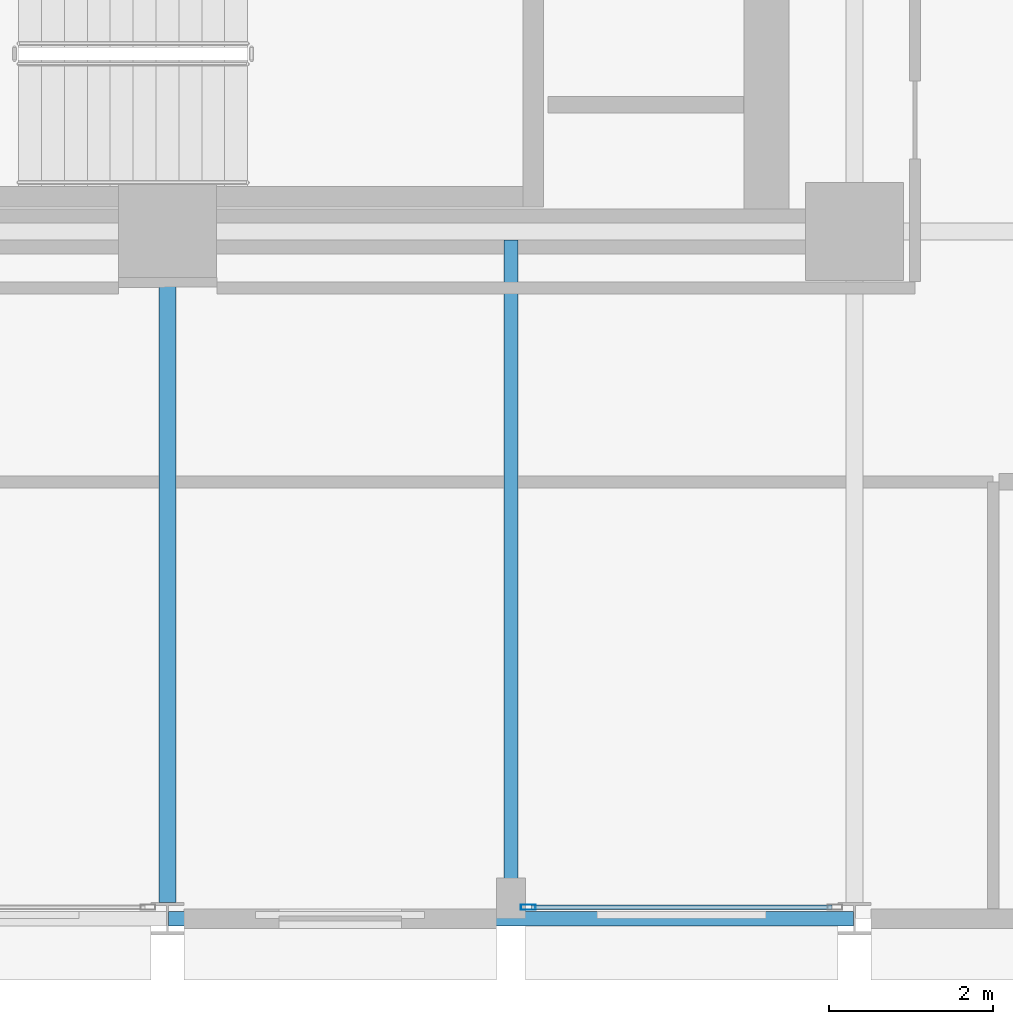
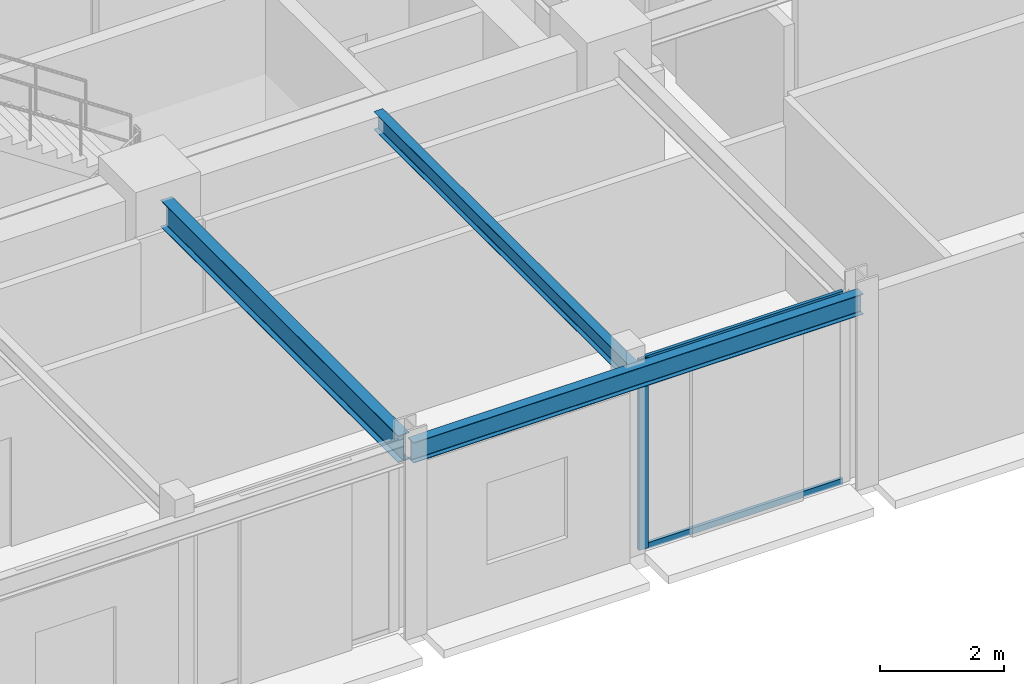
# One storey, part 9 of 40: 3 beams, 3 members, 1 element without a shape of its own.
"""IFC4 building model written with IfcOpenShell, lengths in metres."""

import ifcopenshell
import ifcopenshell.guid

model = None  # the IFC model being written
_history = None  # IfcOwnerHistory: only IFC2X3 demands one
_inside = {}  # id of a spatial element -> (the spatial element, [elements in it])
_under = {}  # id of a project, library or spatial element -> (it, [spatial elements below it])
_declared = {}  # id of a project -> (the project, [libraries it declares])
_typed = {}  # id of a type object -> (the type object, [elements of that type])
_made_of = {}  # id of a material, layer set ... -> (it, [elements and type objects made of it])


def new_model(schema):
    """Start an empty IFC model of exactly this schema.

    Asked for "IFC4X3", IfcOpenShell would pick the latest addendum, in which some entities
    have other attributes; the version numbers below select the first issue.
    IFC2X3 requires an IfcOwnerHistory on every rooted entity: one is made here for all.
    """
    global model, _history
    if schema == "IFC4X3":
        model = ifcopenshell.file(schema_version=(4, 3, 0, 0))
    else:
        model = ifcopenshell.file(schema=schema)
    _inside.clear()
    _under.clear()
    _declared.clear()
    _typed.clear()
    _made_of.clear()
    _history = None
    if model.schema == "IFC2X3":
        org = make("IfcOrganization", Name="unknown")
        user = make(
            "IfcPersonAndOrganization",
            ThePerson=make("IfcPerson", FamilyName="unknown"),
            TheOrganization=org,
        )
        app = make(
            "IfcApplication",
            ApplicationDeveloper=org,
            Version="unknown",
            ApplicationFullName="unknown",
            ApplicationIdentifier="unknown",
        )
        _history = make(
            "IfcOwnerHistory",
            OwningUser=user,
            OwningApplication=app,
            ChangeAction="ADDED",
            CreationDate=0,
        )
    return model


def make(cls, **values):
    """One entity of the class cls with the attributes given. An attribute that is None is left unset."""
    return model.create_entity(
        cls, **{name: value for name, value in values.items() if value is not None}
    )


def rooted(cls, **values):
    """An entity with a GlobalId (a new one), such as an element, a storey or a relation."""
    return make(cls, GlobalId=ifcopenshell.guid.new(), OwnerHistory=_history, **values)


def si_unit(unit_type, name, prefix=None):
    """IfcSIUnit, for example si_unit("LENGTHUNIT", "METRE", prefix="MILLI")."""
    return make("IfcSIUnit", UnitType=unit_type, Prefix=prefix, Name=name)


def assignment(units):
    """IfcUnitAssignment: the units of a project."""
    return None if units is None else make("IfcUnitAssignment", Units=units)


def point(xyz):
    """IfcCartesianPoint."""
    return None if xyz is None else make("IfcCartesianPoint", Coordinates=xyz)


def direction(xyz):
    """IfcDirection."""
    return None if xyz is None else make("IfcDirection", DirectionRatios=xyz)


def frame(location, z_axis=None, x_axis=None):
    """IfcAxis2Placement3D, a coordinate frame: its origin and axes. An axis left out is left unset."""
    return make(
        "IfcAxis2Placement3D",
        Location=point(location),
        Axis=direction(z_axis),
        RefDirection=direction(x_axis),
    )


def frame_2d(location, x_axis=None):
    """IfcAxis2Placement2D, a coordinate frame in the plane: its origin and x axis."""
    return make(
        "IfcAxis2Placement2D", Location=point(location), RefDirection=direction(x_axis)
    )


def origin():
    """The frame at (0, 0, 0) with its axes left unset."""
    return frame((0.0, 0.0, 0.0))


def origin_2d():
    """The frame at (0, 0) in the plane with its x axis left unset."""
    return frame_2d((0.0, 0.0))


def place(relative_to, where):
    """IfcLocalPlacement: puts the frame where relative to a parent placement (None: the world)."""
    return make(
        "IfcLocalPlacement", PlacementRelTo=relative_to, RelativePlacement=where
    )


def context(
    kind, dimensions, precision=None, world=None, true_north=None, identifier=None
):
    """IfcGeometricRepresentationContext, for example the 3D "Model" context."""
    return make(
        "IfcGeometricRepresentationContext",
        ContextIdentifier=identifier,
        ContextType=kind,
        CoordinateSpaceDimension=dimensions,
        Precision=precision,
        WorldCoordinateSystem=world,
        TrueNorth=true_north,
    )


def subcontext(parent, identifier, kind, view, scale=None):
    """IfcGeometricRepresentationSubContext, for example "Body" below "Model"."""
    return make(
        "IfcGeometricRepresentationSubContext",
        ContextIdentifier=identifier,
        ContextType=kind,
        ParentContext=parent,
        TargetScale=scale,
        TargetView=view,
    )


def project(units=None, contexts=None):
    """IfcProject with its units and contexts."""
    return rooted(
        "IfcProject",
        Name="project",
        RepresentationContexts=contexts,
        UnitsInContext=assignment(units),
    )


def spatial(cls, under=None, at=None, **own):
    """A site, building, storey or space (cls), placed at a placement, below another one or the project."""
    s = rooted(cls, ObjectPlacement=at, **own)
    if under is not None:
        _under.setdefault(under.id(), (under, []))[1].append(s)
    return s


def profile(cls, at=None, kind="AREA", **sizes):
    """A parametric profile (cls). Its sizes go by their IFC names, for example OverallWidth=200.0."""
    return make(cls, ProfileType=kind, Position=at, **sizes)


def hollow_rectangle(**sizes):
    """IfcRectangleHollowProfileDef."""
    return profile("IfcRectangleHollowProfileDef", **sizes)


def i_section(**sizes):
    """IfcIShapeProfileDef."""
    return profile("IfcIShapeProfileDef", **sizes)


def extrude(swept, where, along, depth):
    """IfcExtrudedAreaSolid: the profile swept, set in the frame where, extruded along a direction by depth."""
    return make(
        "IfcExtrudedAreaSolid",
        SweptArea=swept,
        Position=where,
        ExtrudedDirection=direction(along),
        Depth=depth,
    )


def shape(context_of_items, identifier, shape_type, items):
    """IfcShapeRepresentation: the items that make up one representation, for example the "Body"."""
    return make(
        "IfcShapeRepresentation",
        ContextOfItems=context_of_items,
        RepresentationIdentifier=identifier,
        RepresentationType=shape_type,
        Items=items,
    )


def material(Name=None, Category=None):
    """IfcMaterial."""
    return make("IfcMaterial", Name=Name, Category=Category)


def layer(
    of_material, thickness, ventilated=None, Name=None, Category=None, Priority=None
):
    """IfcMaterialLayer: one layer of a wall or slab, of a material (None: an air gap)."""
    return make(
        "IfcMaterialLayer",
        Material=of_material,
        LayerThickness=thickness,
        IsVentilated=ventilated,
        Name=Name,
        Category=Category,
        Priority=Priority,
    )


def layer_set(layers, Name=None):
    """IfcMaterialLayerSet."""
    return make("IfcMaterialLayerSet", MaterialLayers=layers, LayerSetName=Name)


def material_profile(
    of_material, cross_section, Name=None, Category=None, Priority=None
):
    """IfcMaterialProfile: a cross section and its material."""
    return make(
        "IfcMaterialProfile",
        Name=Name,
        Material=of_material,
        Profile=cross_section,
        Priority=Priority,
        Category=Category,
    )


def profile_set(profiles, Name=None, composite=None):
    """IfcMaterialProfileSet."""
    return make(
        "IfcMaterialProfileSet",
        Name=Name,
        MaterialProfiles=profiles,
        CompositeProfile=composite,
    )


def made_of(thing, what):
    """Note that an element or type object is made of a material, layer set ...; save() writes the relation."""
    if what is not None:
        _made_of.setdefault(what.id(), (what, []))[1].append(thing)
    return thing


def type_object(cls, material=None, **own):
    """A type object (cls), such as IfcWallType, which elements share."""
    return made_of(rooted(cls, **own), material)


def element(
    cls,
    number,
    at=None,
    inside=None,
    cuts=None,
    type_object=None,
    material=None,
    context=None,
    identifier="Body",
    shape_type=None,
    held_by="IfcProductDefinitionShape",
    body=None,
    shapes=None,
    **own,
):
    """One element of the class cls, such as IfcWall. Its Tag is "e" and its number.

    at: its placement. inside: the storey or other place that contains it. cuts: it is an
    opening in that element (IfcRelVoidsElement). A single representation is given by context,
    identifier, shape_type and body (its items); several are given by shapes. held_by: the class
    of the entity that holds the representations. save() writes the other relations.
    """
    e = rooted(cls, Tag="e%d" % number, ObjectPlacement=at, **own)
    if body is not None:
        shapes = [shape(context, identifier, shape_type, body)]
    if shapes is not None:
        e.Representation = make(held_by, Representations=shapes)
    if inside is not None:
        _inside.setdefault(inside.id(), (inside, []))[1].append(e)
    if cuts is not None:
        rooted(
            "IfcRelVoidsElement", RelatingBuildingElement=cuts, RelatedOpeningElement=e
        )
    if type_object is not None:
        _typed.setdefault(type_object.id(), (type_object, []))[1].append(e)
    return made_of(e, material)


def aggregate(whole, parts):
    """IfcRelAggregates: a whole, such as a stair, and the parts it consists of."""
    return rooted("IfcRelAggregates", RelatingObject=whole, RelatedObjects=parts)


def save(model, path):
    """Write the relations noted so far, then the file.

    IfcRelAggregates (storeys below a building ...), IfcRelContainedInSpatialStructure (elements
    in a storey), IfcRelDefinesByType, IfcRelAssociatesMaterial and IfcRelDeclares: one each for
    every whole, place, type object, material and project.
    """
    for whole, parts in _under.values():
        aggregate(whole, parts)
    for where, things in _inside.values():
        rooted(
            "IfcRelContainedInSpatialStructure",
            RelatedElements=things,
            RelatingStructure=where,
        )
    for kind, things in _typed.values():
        rooted("IfcRelDefinesByType", RelatedObjects=things, RelatingType=kind)
    for what, things in _made_of.values():
        rooted("IfcRelAssociatesMaterial", RelatedObjects=things, RelatingMaterial=what)
    for by, libraries in _declared.values():
        rooted("IfcRelDeclares", RelatingContext=by, RelatedDefinitions=libraries)
    model.write(path)


model = new_model("IFC4")

# Units and contexts
model_context = context("Model", 3, precision=1e-05, world=origin(), true_north=direction((0.0, 1.0)))
body_context = subcontext(model_context, "Body", "Model", "MODEL_VIEW")
ifc_project = project(units=[si_unit("LENGTHUNIT", "METRE"), si_unit("AREAUNIT", "SQUARE_METRE"), si_unit("VOLUMEUNIT", "CUBIC_METRE"), si_unit("PLANEANGLEUNIT", "RADIAN"), si_unit("MASSUNIT", "GRAM", prefix="KILO")], contexts=[model_context])

# Site, building, storey
site_placement = place(None, origin())
site = spatial("IfcSite", under=ifc_project, at=site_placement, CompositionType="ELEMENT")
building_placement = place(site_placement, origin())
building = spatial("IfcBuilding", under=site, at=building_placement, Name="Nerrivon Quay Data Exchange", CompositionType="ELEMENT")
storey_placement = place(building_placement, frame((0.0, 0.0, 109.0)))
storey = spatial("IfcBuildingStorey", under=building, at=storey_placement, Name="L25", CompositionType="ELEMENT", Elevation=109.0)

# Beams
ifc_material_1 = material(Name="Steel Grade 350", Category="steel")
ifc_material_profile_1 = material_profile(ifc_material_1, i_section(OverallWidth=0.208984375, OverallDepth=0.528076171875, WebThickness=0.009521484375, FlangeThickness=0.01318359375, FilletRadius=0.013916015625, at=origin_2d()), Name="530UB82.0")
ifc_profile_set_1 = profile_set([ifc_material_profile_1], Name="Steel Grade 350")
beam_type_1 = type_object("IfcBeamType", Name="BM-G4-530UB82", PredefinedType="BEAM", material=ifc_profile_set_1)
beam_1_placement = place(storey_placement, frame((25.199951171875, 0.199951171875, 3.486083984375), z_axis=(0.0, 1.0, 0.0), x_axis=(-1.0, 0.0, 0.0)))
element("IfcBeam", 1, at=beam_1_placement, inside=storey, type_object=beam_type_1, Name="L25 NS Girder X=25.2 (0.0..8.4)", PredefinedType="BEAM", context=body_context, shape_type="SweptSolid", body=[
    extrude(i_section(OverallWidth=0.208984375, OverallDepth=0.528076171875, WebThickness=0.009521484375, FlangeThickness=0.01318359375, FilletRadius=0.013916015625, at=origin_2d()), origin(), (0.0, 0.0, 1.0), 7.66015625),
])
ifc_material_profile_2 = material_profile(ifc_material_1, i_section(OverallWidth=0.1708984375, OverallDepth=0.35595703125, WebThickness=0.00732421875, FlangeThickness=0.011474609375, FilletRadius=0.011474609375, at=origin_2d()), Name="360UB50.7")
ifc_profile_set_2 = profile_set([ifc_material_profile_2], Name="Steel Grade 350")
beam_type_2 = type_object("IfcBeamType", Name="BM-J4-360UB51", PredefinedType="JOIST", material=ifc_profile_set_2)
beam_2_placement = place(storey_placement, frame((29.39990234375, 0.089111328125, 3.572021484375), z_axis=(0.0, 1.0, 0.0), x_axis=(-1.0, 0.0, 0.0)))
element("IfcBeam", 2, at=beam_2_placement, inside=storey, type_object=beam_type_2, Name="L25 Secondary Joist X=29.4 (0.0..8.4)", PredefinedType="JOIST", context=body_context, shape_type="SweptSolid", body=[
    extrude(i_section(OverallWidth=0.1708984375, OverallDepth=0.35595703125, WebThickness=0.00732421875, FlangeThickness=0.011474609375, FilletRadius=0.011474609375, at=origin_2d()), origin(), (0.0, 0.0, 1.0), 8.206298828125),
])
ifc_material_profile_3 = material_profile(ifc_material_1, i_section(OverallWidth=0.177978515625, OverallDepth=0.403076171875, WebThickness=0.007568359375, FlangeThickness=0.010986328125, FilletRadius=0.011474609375, at=origin_2d()), Name="410UB53.7")
ifc_profile_set_3 = profile_set([ifc_material_profile_3], Name="Steel Grade 350")
beam_type_3 = type_object("IfcBeamType", Name="BM-SP2-410UB54", PredefinedType="SPANDREL", material=ifc_profile_set_3)
beam_3_placement = place(storey_placement, frame((25.21240234375, 0.0, 3.548583984375), z_axis=(1.0, 0.0, 0.0), x_axis=(0.0, 1.0, 0.0)))
element("IfcBeam", 3, at=beam_3_placement, inside=storey, type_object=beam_type_3, Name="L25 EW Girder Y=0.0 (25.2..33.6)", PredefinedType="SPANDREL", context=body_context, shape_type="SweptSolid", body=[
    extrude(i_section(OverallWidth=0.177978515625, OverallDepth=0.403076171875, WebThickness=0.007568359375, FlangeThickness=0.010986328125, FilletRadius=0.011474609375, at=origin_2d()), origin(), (0.0, 0.0, 1.0), 8.375),
])

# Curtain wall, members
ifc_material_2 = material(Name="Anodised aluminium 6063-T6", Category="aluminium")
ifc_layer = layer(ifc_material_2, 0.2099609375)
ifc_layer_set = layer_set([ifc_layer], Name="Anodised aluminium 6063-T6")
curtain_wall_type = type_object("IfcCurtainWallType", Name="CW-SYS-02", PredefinedType="NOTDEFINED", material=ifc_layer_set)
curtain_wall_placement = place(storey_placement, origin())
curtain_wall = element("IfcCurtainWall", 4, at=curtain_wall_placement, inside=storey, type_object=curtain_wall_type, Name="L25 Unitised Curtain Wall 8", PredefinedType="NOTDEFINED")
ifc_material_profile_4 = material_profile(ifc_material_2, hollow_rectangle(XDim=0.06494140625, YDim=0.179931640625, WallThickness=0.00341796875, at=origin_2d()), Name="ALU-MULL-180x65")
ifc_profile_set_4 = profile_set([ifc_material_profile_4], Name="Anodised aluminium 6063-T6")
member_type_1 = type_object("IfcMemberType", Name="CWM-180x65", PredefinedType="MULLION", material=ifc_profile_set_4)
member_1_placement = place(storey_placement, frame((29.612548828125, 0.139892578125, 0.0), z_axis=(0.0, 0.0, 1.0), x_axis=(0.0, -1.0, 0.0)))
member_1 = element("IfcMember", 5, at=member_1_placement, type_object=member_type_1, Name="CW02 mullion 2", PredefinedType="MULLION", context=body_context, shape_type="SweptSolid", body=[
    extrude(hollow_rectangle(XDim=0.06494140625, YDim=0.179931640625, WallThickness=0.00341796875, at=origin_2d()), origin(), (0.0, 0.0, 1.0), 3.75),
])
ifc_material_profile_5 = material_profile(ifc_material_2, hollow_rectangle(XDim=0.06005859375, YDim=0.1201171875, WallThickness=0.003173828125, at=origin_2d()), Name="ALU-TRAN-120x60")
ifc_profile_set_5 = profile_set([ifc_material_profile_5], Name="Anodised aluminium 6063-T6")
member_type_2 = type_object("IfcMemberType", Name="CWT-120x60", PredefinedType="USERDEFINED", material=ifc_profile_set_5)
member_2_placement = place(storey_placement, frame((33.324951171875, 0.139892578125, 0.032470703125), z_axis=(-1.0, 0.0, 0.0), x_axis=(0.0, -1.0, 0.0)))
member_2 = element("IfcMember", 6, at=member_2_placement, type_object=member_type_2, Name="CW02 transom 1.1", ObjectType="TRANSOM", PredefinedType="USERDEFINED", context=body_context, shape_type="SweptSolid", body=[
    extrude(hollow_rectangle(XDim=0.06005859375, YDim=0.1201171875, WallThickness=0.003173828125, at=origin_2d()), origin(), (0.0, 0.0, 1.0), 3.675048828125),
])
member_3_placement = place(storey_placement, frame((33.324951171875, 0.139892578125, 3.717529296875), z_axis=(-1.0, 0.0, 0.0), x_axis=(0.0, -1.0, 0.0)))
member_3 = element("IfcMember", 7, at=member_3_placement, type_object=member_type_2, Name="CW02 transom 1.2", ObjectType="TRANSOM", PredefinedType="USERDEFINED", context=body_context, shape_type="SweptSolid", body=[
    extrude(hollow_rectangle(XDim=0.06005859375, YDim=0.1201171875, WallThickness=0.003173828125, at=origin_2d()), origin(), (0.0, 0.0, 1.0), 3.675048828125),
])
aggregate(curtain_wall, [member_1, member_2, member_3])

save(model, "model.ifc")
